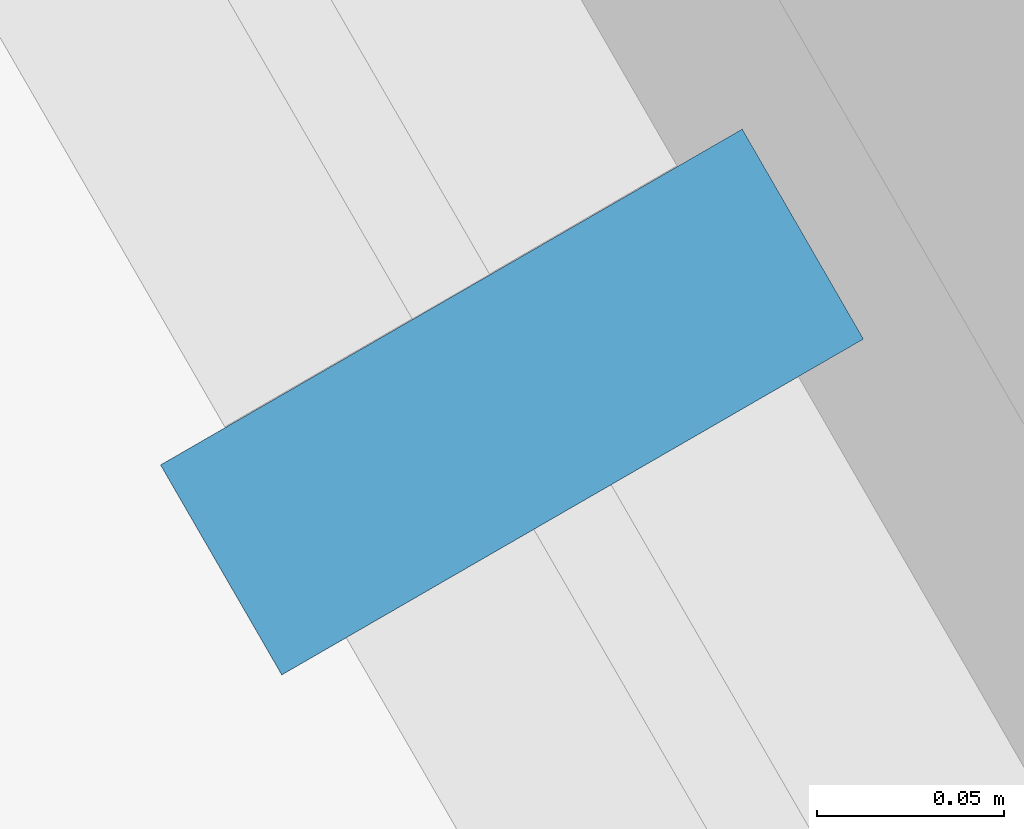
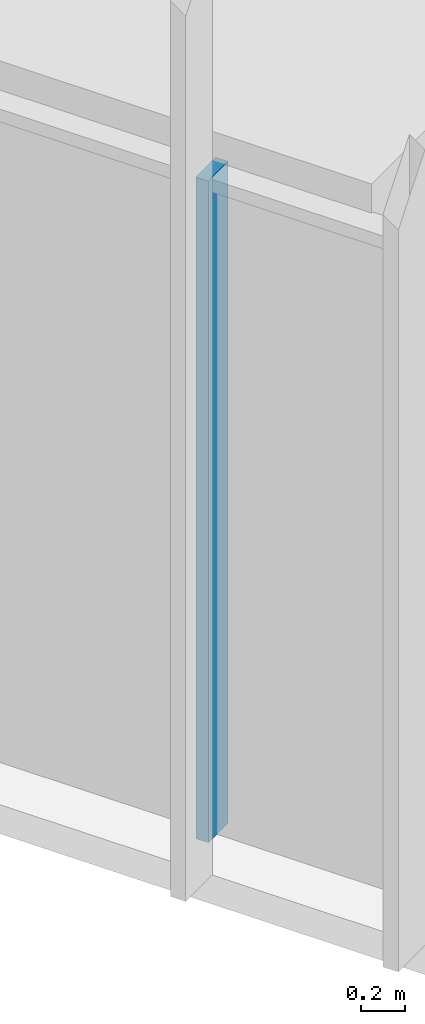
# One storey, part 3 of 256: 1 member, 1 element without a shape of its own.
"""IFC4 building model written with IfcOpenShell, lengths in metres."""

from ifc_helpers import new_model, si_unit, direction, frame, origin, origin_2d, place, context, subcontext, project, spatial, rectangle, extrude, material, material_profile, profile_set, type_object, element, aggregate, save


model = new_model("IFC4")

# Units and contexts
model_context = context("Model", 3, precision=1e-05, world=origin(), true_north=direction((0.0, 1.0)))
body_context = subcontext(model_context, "Body", "Model", "MODEL_VIEW")
ifc_project = project(units=[si_unit("LENGTHUNIT", "METRE"), si_unit("AREAUNIT", "SQUARE_METRE"), si_unit("VOLUMEUNIT", "CUBIC_METRE"), si_unit("PLANEANGLEUNIT", "RADIAN"), si_unit("MASSUNIT", "GRAM", prefix="KILO")], contexts=[model_context])

# Site, building, storey
site_placement = place(None, origin())
site = spatial("IfcSite", under=ifc_project, at=site_placement, CompositionType="ELEMENT")
building_placement = place(site_placement, origin())
building = spatial("IfcBuilding", under=site, at=building_placement, Name="Sandreach Pilgrim Tower", CompositionType="ELEMENT")
storey_placement = place(building_placement, frame((0.0, 0.0, 23.0)))
storey = spatial("IfcBuildingStorey", under=building, at=storey_placement, Name="L04", CompositionType="ELEMENT", Elevation=23.0)

# Curtain wall, member
ifc_material_1 = material(Name="Aluminium framed curtain wall", Category="aluminium")
curtain_wall_type = type_object("IfcCurtainWallType", Name="Hostel tower curtain wall", PredefinedType="NOTDEFINED", material=ifc_material_1)
curtain_wall_placement = place(storey_placement, origin())
curtain_wall = element("IfcCurtainWall", 1, at=curtain_wall_placement, inside=storey, type_object=curtain_wall_type, Name="CW-1 L04 SW", PredefinedType="NOTDEFINED")
ifc_material_2 = material(Name="Aluminium extrusion", Category="aluminium")
ifc_material_profile = material_profile(ifc_material_2, rectangle(XDim=0.06494140625, YDim=0.179931640625, at=origin_2d()), Name="CW-1M 65X180")
ifc_profile_set = profile_set([ifc_material_profile], Name="Aluminium extrusion")
member_type = type_object("IfcMemberType", Name="CW-1 mullion", PredefinedType="MULLION", material=ifc_profile_set)
member_placement = place(storey_placement, frame((-15.275634765625, -21.439208984375, 0.0), z_axis=(0.0, 0.0, 1.0), x_axis=(-0.5, 0.866025403784, 0.0)))
member = element("IfcMember", 2, at=member_placement, type_object=member_type, Name="CW-1 mullion 3", PredefinedType="MULLION", context=body_context, shape_type="SweptSolid", body=[
    extrude(rectangle(XDim=0.06494140625, YDim=0.179931640625, at=origin_2d()), origin(), (0.0, 0.0, 1.0), 3.639892578125),
])
aggregate(curtain_wall, [member])

save(model, "model.ifc")
